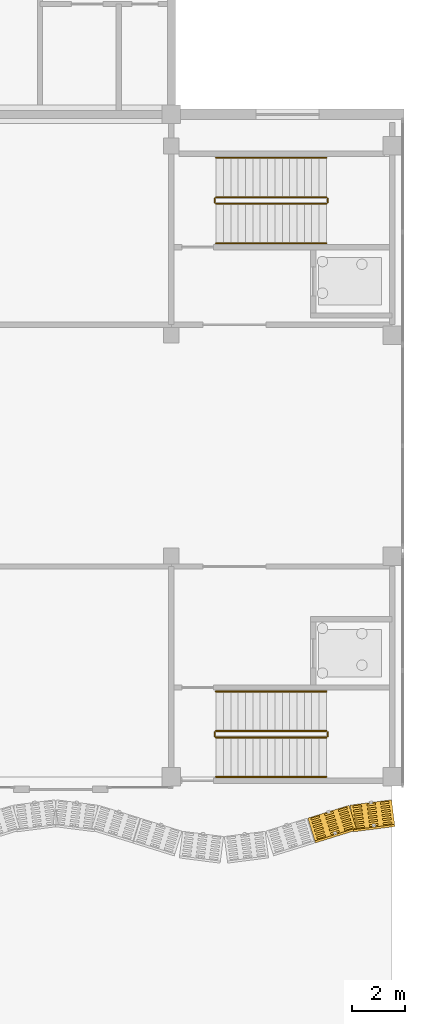
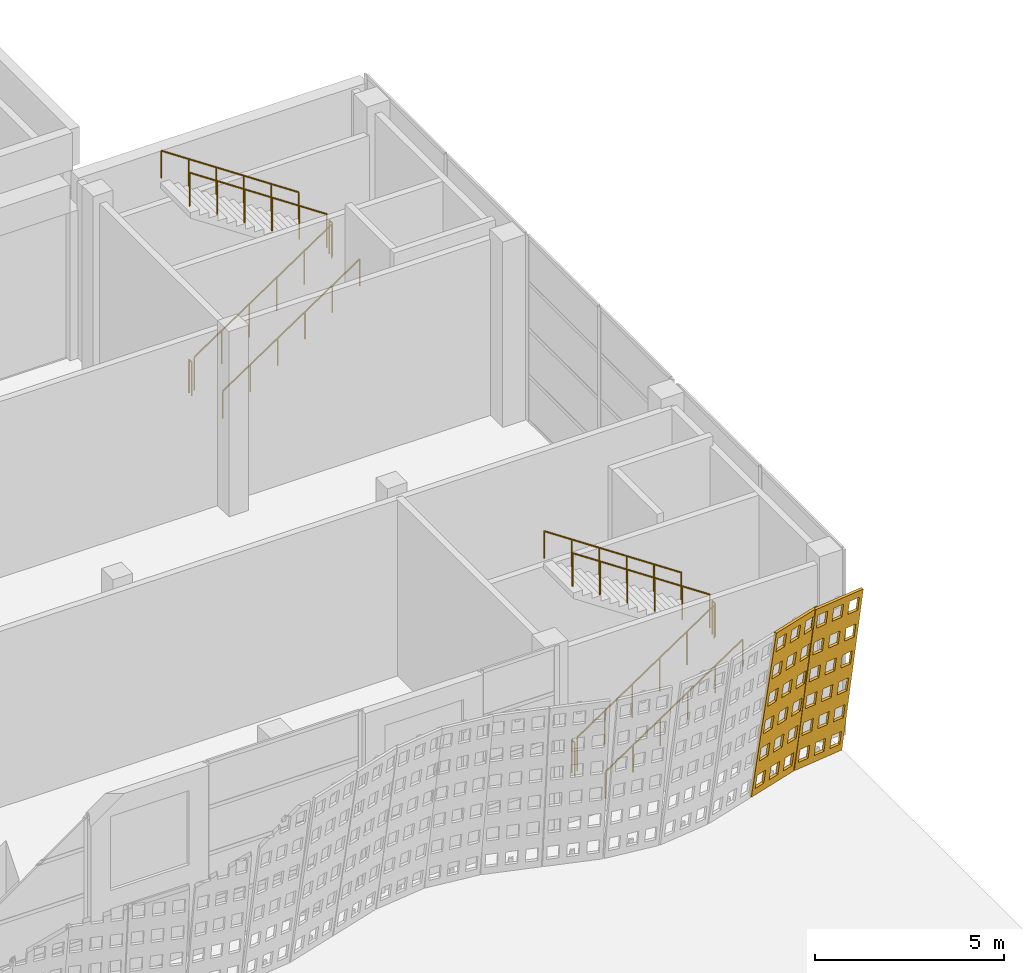
# One storey, part 207 of 210: 12 railings, 2 coverings.
"""IFC4 building model written with IfcOpenShell, lengths in metres."""

from ifc_helpers import new_model, si_unit, direction, frame, origin, origin_2d, place, context, subcontext, project, spatial, polyline, circle, outline, extrude, material, layer, layer_set, type_object, element, save


model = new_model("IFC4")

# Units and contexts
model_context = context("Model", 3, precision=1e-05, world=origin(), true_north=direction((0.0, 1.0)))
body_context = subcontext(model_context, "Body", "Model", "MODEL_VIEW")
ifc_project = project(units=[si_unit("LENGTHUNIT", "METRE"), si_unit("AREAUNIT", "SQUARE_METRE"), si_unit("VOLUMEUNIT", "CUBIC_METRE"), si_unit("PLANEANGLEUNIT", "RADIAN"), si_unit("MASSUNIT", "GRAM", prefix="KILO")], contexts=[model_context])

# Site, building, storey
site_placement = place(None, origin())
site = spatial("IfcSite", under=ifc_project, at=site_placement, CompositionType="ELEMENT")
building_placement = place(site_placement, origin())
building = spatial("IfcBuilding", under=site, at=building_placement, Name="Rain Tree Exposition and Congress Centre", CompositionType="ELEMENT")
storey_placement = place(building_placement, origin())
storey = spatial("IfcBuildingStorey", under=building, at=storey_placement, Name="L00", CompositionType="ELEMENT", Elevation=0.0)

# Railings
ifc_material_1 = material(Name="Aluminium and glass balustrade", Category="aluminium")
railing_type_1 = type_object("IfcRailingType", Name="Concourse guard 1100", PredefinedType="GUARDRAIL", material=ifc_material_1)
railing_1_placement = place(storey_placement, frame((262.10009765625, 77.10009765625, 0.1875)))
element("IfcRailing", 1, at=railing_1_placement, inside=storey, type_object=railing_type_1, Name="L00 ST-C6 stair guard 1", PredefinedType="GUARDRAIL", context=body_context, shape_type="SweptSolid", body=[
    extrude(circle(Radius=0.02392578125, at=origin_2d()), frame((0.0, 0.0, 1.076171875), z_axis=(0.830904186295, 0.0, 0.556415522067), x_axis=(0.0, 1.0, 0.0)), (0.0, 0.0, 1.0), 5.0546875),
    extrude(circle(Radius=0.02099609375, at=origin_2d()), origin(), (0.0, 0.0, 1.0), 1.052001953125),
    extrude(circle(Radius=0.02099609375, at=origin_2d()), frame((0.840087890625, 0.0, 0.5625)), (0.0, 0.0, 1.0), 1.052001953125),
    extrude(circle(Radius=0.02099609375, at=origin_2d()), frame((1.679931640625, 0.0, 1.125)), (0.0, 0.0, 1.0), 1.052001953125),
    extrude(circle(Radius=0.02099609375, at=origin_2d()), frame((2.52001953125, 0.0, 1.6875)), (0.0, 0.0, 1.0), 1.052001953125),
    extrude(circle(Radius=0.02099609375, at=origin_2d()), frame((3.35986328125, 0.0, 2.25)), (0.0, 0.0, 1.0), 1.052001953125),
    extrude(circle(Radius=0.02099609375, at=origin_2d()), frame((4.199951171875, 0.0, 2.8125)), (0.0, 0.0, 1.0), 1.052001953125),
])
railing_2_placement = place(storey_placement, frame((266.35009765625, 77.14990234375, 3.0)))
element("IfcRailing", 2, at=railing_2_placement, inside=storey, type_object=railing_type_1, Name="L00 ST-C6 stair guard 2", PredefinedType="GUARDRAIL", context=body_context, shape_type="SweptSolid", body=[
    extrude(circle(Radius=0.02392578125, at=origin_2d()), frame((0.0, 0.0, 1.076171875), z_axis=(0.0, 1.0, 0.0), x_axis=(-1.0, 0.0, 0.0)), (0.0, 0.0, 1.0), 0.150146484375),
    extrude(circle(Radius=0.02099609375, at=origin_2d()), origin(), (0.0, 0.0, 1.0), 1.052001953125),
    extrude(circle(Radius=0.02099609375, at=origin_2d()), frame((0.0, 0.150146484375, 0.0)), (0.0, 0.0, 1.0), 1.052001953125),
])
railing_3_placement = place(storey_placement, frame((266.300048828125, 77.35009765625, 3.1875)))
element("IfcRailing", 3, at=railing_3_placement, inside=storey, type_object=railing_type_1, Name="L00 ST-C6 stair guard 3", PredefinedType="GUARDRAIL", context=body_context, shape_type="SweptSolid", body=[
    extrude(circle(Radius=0.02392578125, at=origin_2d()), frame((0.0, 0.0, 1.076171875), z_axis=(-0.830904186295, 0.0, 0.556415522067), x_axis=(0.0, -1.0, 0.0)), (0.0, 0.0, 1.0), 5.0546875),
    extrude(circle(Radius=0.02099609375, at=origin_2d()), origin(), (0.0, 0.0, 1.0), 1.052001953125),
    extrude(circle(Radius=0.02099609375, at=origin_2d()), frame((-0.840087890625, 0.0, 0.5625)), (0.0, 0.0, 1.0), 1.052001953125),
    extrude(circle(Radius=0.02099609375, at=origin_2d()), frame((-1.679931640625, 0.0, 1.125)), (0.0, 0.0, 1.0), 1.052001953125),
    extrude(circle(Radius=0.02099609375, at=origin_2d()), frame((-2.52001953125, 0.0, 1.6875)), (0.0, 0.0, 1.0), 1.052001953125),
    extrude(circle(Radius=0.02099609375, at=origin_2d()), frame((-3.35986328125, 0.0, 2.25)), (0.0, 0.0, 1.0), 1.052001953125),
    extrude(circle(Radius=0.02099609375, at=origin_2d()), frame((-4.199951171875, 0.0, 2.8125)), (0.0, 0.0, 1.0), 1.052001953125),
])
railing_4_placement = place(storey_placement, frame((262.050048828125, 77.14990234375, 0.0)))
element("IfcRailing", 4, at=railing_4_placement, inside=storey, type_object=railing_type_1, Name="L00 ST-C6 stair guard 4", PredefinedType="GUARDRAIL", context=body_context, shape_type="SweptSolid", body=[
    extrude(circle(Radius=0.02392578125, at=origin_2d()), frame((0.0, 0.0, 1.076171875), z_axis=(0.0, 1.0, 0.0), x_axis=(-1.0, 0.0, 0.0)), (0.0, 0.0, 1.0), 0.150146484375),
    extrude(circle(Radius=0.02099609375, at=origin_2d()), origin(), (0.0, 0.0, 1.0), 1.052001953125),
    extrude(circle(Radius=0.02099609375, at=origin_2d()), frame((0.0, 0.150146484375, 0.0)), (0.0, 0.0, 1.0), 1.052001953125),
])
railing_5_placement = place(storey_placement, frame((262.10009765625, 97.39990234375, 0.1875)))
element("IfcRailing", 5, at=railing_5_placement, inside=storey, type_object=railing_type_1, Name="L00 ST-C12 stair guard 1", PredefinedType="GUARDRAIL", context=body_context, shape_type="SweptSolid", body=[
    extrude(circle(Radius=0.02392578125, at=origin_2d()), frame((0.0, 0.0, 1.076171875), z_axis=(0.830904186295, 0.0, 0.556415522067), x_axis=(0.0, 1.0, 0.0)), (0.0, 0.0, 1.0), 5.0546875),
    extrude(circle(Radius=0.02099609375, at=origin_2d()), origin(), (0.0, 0.0, 1.0), 1.052001953125),
    extrude(circle(Radius=0.02099609375, at=origin_2d()), frame((0.840087890625, 0.0, 0.5625)), (0.0, 0.0, 1.0), 1.052001953125),
    extrude(circle(Radius=0.02099609375, at=origin_2d()), frame((1.679931640625, 0.0, 1.125)), (0.0, 0.0, 1.0), 1.052001953125),
    extrude(circle(Radius=0.02099609375, at=origin_2d()), frame((2.52001953125, 0.0, 1.6875)), (0.0, 0.0, 1.0), 1.052001953125),
    extrude(circle(Radius=0.02099609375, at=origin_2d()), frame((3.35986328125, 0.0, 2.25)), (0.0, 0.0, 1.0), 1.052001953125),
    extrude(circle(Radius=0.02099609375, at=origin_2d()), frame((4.199951171875, 0.0, 2.8125)), (0.0, 0.0, 1.0), 1.052001953125),
])
railing_6_placement = place(storey_placement, frame((266.35009765625, 97.449951171875, 3.0)))
element("IfcRailing", 6, at=railing_6_placement, inside=storey, type_object=railing_type_1, Name="L00 ST-C12 stair guard 2", PredefinedType="GUARDRAIL", context=body_context, shape_type="SweptSolid", body=[
    extrude(circle(Radius=0.02392578125, at=origin_2d()), frame((0.0, 0.0, 1.076171875), z_axis=(0.0, 1.0, 0.0), x_axis=(-1.0, 0.0, 0.0)), (0.0, 0.0, 1.0), 0.150146484375),
    extrude(circle(Radius=0.02099609375, at=origin_2d()), origin(), (0.0, 0.0, 1.0), 1.052001953125),
    extrude(circle(Radius=0.02099609375, at=origin_2d()), frame((0.0, 0.150146484375, 0.0)), (0.0, 0.0, 1.0), 1.052001953125),
])
railing_7_placement = place(storey_placement, frame((266.300048828125, 97.64990234375, 3.1875)))
element("IfcRailing", 7, at=railing_7_placement, inside=storey, type_object=railing_type_1, Name="L00 ST-C12 stair guard 3", PredefinedType="GUARDRAIL", context=body_context, shape_type="SweptSolid", body=[
    extrude(circle(Radius=0.02392578125, at=origin_2d()), frame((0.0, 0.0, 1.076171875), z_axis=(-0.830904186295, 0.0, 0.556415522067), x_axis=(0.0, -1.0, 0.0)), (0.0, 0.0, 1.0), 5.0546875),
    extrude(circle(Radius=0.02099609375, at=origin_2d()), origin(), (0.0, 0.0, 1.0), 1.052001953125),
    extrude(circle(Radius=0.02099609375, at=origin_2d()), frame((-0.840087890625, 0.0, 0.5625)), (0.0, 0.0, 1.0), 1.052001953125),
    extrude(circle(Radius=0.02099609375, at=origin_2d()), frame((-1.679931640625, 0.0, 1.125)), (0.0, 0.0, 1.0), 1.052001953125),
    extrude(circle(Radius=0.02099609375, at=origin_2d()), frame((-2.52001953125, 0.0, 1.6875)), (0.0, 0.0, 1.0), 1.052001953125),
    extrude(circle(Radius=0.02099609375, at=origin_2d()), frame((-3.35986328125, 0.0, 2.25)), (0.0, 0.0, 1.0), 1.052001953125),
    extrude(circle(Radius=0.02099609375, at=origin_2d()), frame((-4.199951171875, 0.0, 2.8125)), (0.0, 0.0, 1.0), 1.052001953125),
])
railing_8_placement = place(storey_placement, frame((262.050048828125, 97.449951171875, 0.0)))
element("IfcRailing", 8, at=railing_8_placement, inside=storey, type_object=railing_type_1, Name="L00 ST-C12 stair guard 4", PredefinedType="GUARDRAIL", context=body_context, shape_type="SweptSolid", body=[
    extrude(circle(Radius=0.02392578125, at=origin_2d()), frame((0.0, 0.0, 1.076171875), z_axis=(0.0, 1.0, 0.0), x_axis=(-1.0, 0.0, 0.0)), (0.0, 0.0, 1.0), 0.150146484375),
    extrude(circle(Radius=0.02099609375, at=origin_2d()), origin(), (0.0, 0.0, 1.0), 1.052001953125),
    extrude(circle(Radius=0.02099609375, at=origin_2d()), frame((0.0, 0.150146484375, 0.0)), (0.0, 0.0, 1.0), 1.052001953125),
])
ifc_material_2 = material(Name="Aluminium handrail", Category="aluminium")
railing_type_2 = type_object("IfcRailingType", Name="Concourse handrail 900", PredefinedType="HANDRAIL", material=ifc_material_2)
railing_9_placement = place(storey_placement, frame((262.10009765625, 75.60009765625, 0.1875)))
element("IfcRailing", 9, at=railing_9_placement, inside=storey, type_object=railing_type_2, Name="L00 ST-C6 stair handrail 1", PredefinedType="HANDRAIL", context=body_context, shape_type="SweptSolid", body=[
    extrude(circle(Radius=0.02392578125, at=origin_2d()), frame((0.0, 0.0, 0.8759765625), z_axis=(0.830904186295, 0.0, 0.556415522067), x_axis=(0.0, 1.0, 0.0)), (0.0, 0.0, 1.0), 5.0546875),
    extrude(circle(Radius=0.02099609375, at=origin_2d()), origin(), (0.0, 0.0, 1.0), 0.851806640625),
    extrude(circle(Radius=0.02099609375, at=origin_2d()), frame((0.840087890625, 0.0, 0.5625)), (0.0, 0.0, 1.0), 0.851806640625),
    extrude(circle(Radius=0.02099609375, at=origin_2d()), frame((1.679931640625, 0.0, 1.125)), (0.0, 0.0, 1.0), 0.851806640625),
    extrude(circle(Radius=0.02099609375, at=origin_2d()), frame((2.52001953125, 0.0, 1.6875)), (0.0, 0.0, 1.0), 0.851806640625),
    extrude(circle(Radius=0.02099609375, at=origin_2d()), frame((3.35986328125, 0.0, 2.25)), (0.0, 0.0, 1.0), 0.851806640625),
    extrude(circle(Radius=0.02099609375, at=origin_2d()), frame((4.199951171875, 0.0, 2.8125)), (0.0, 0.0, 1.0), 0.851806640625),
])
railing_10_placement = place(storey_placement, frame((266.300048828125, 78.85009765625, 3.1875)))
element("IfcRailing", 10, at=railing_10_placement, inside=storey, type_object=railing_type_2, Name="L00 ST-C6 stair handrail 2", PredefinedType="HANDRAIL", context=body_context, shape_type="SweptSolid", body=[
    extrude(circle(Radius=0.02392578125, at=origin_2d()), frame((0.0, 0.0, 0.8759765625), z_axis=(-0.830904186295, 0.0, 0.556415522067), x_axis=(0.0, -1.0, 0.0)), (0.0, 0.0, 1.0), 5.0546875),
    extrude(circle(Radius=0.02099609375, at=origin_2d()), origin(), (0.0, 0.0, 1.0), 0.851806640625),
    extrude(circle(Radius=0.02099609375, at=origin_2d()), frame((-0.840087890625, 0.0, 0.5625)), (0.0, 0.0, 1.0), 0.851806640625),
    extrude(circle(Radius=0.02099609375, at=origin_2d()), frame((-1.679931640625, 0.0, 1.125)), (0.0, 0.0, 1.0), 0.851806640625),
    extrude(circle(Radius=0.02099609375, at=origin_2d()), frame((-2.52001953125, 0.0, 1.6875)), (0.0, 0.0, 1.0), 0.851806640625),
    extrude(circle(Radius=0.02099609375, at=origin_2d()), frame((-3.35986328125, 0.0, 2.25)), (0.0, 0.0, 1.0), 0.851806640625),
    extrude(circle(Radius=0.02099609375, at=origin_2d()), frame((-4.199951171875, 0.0, 2.8125)), (0.0, 0.0, 1.0), 0.851806640625),
])
railing_11_placement = place(storey_placement, frame((262.10009765625, 95.89990234375, 0.1875)))
element("IfcRailing", 11, at=railing_11_placement, inside=storey, type_object=railing_type_2, Name="L00 ST-C12 stair handrail 1", PredefinedType="HANDRAIL", context=body_context, shape_type="SweptSolid", body=[
    extrude(circle(Radius=0.02392578125, at=origin_2d()), frame((0.0, 0.0, 0.8759765625), z_axis=(0.830904186295, 0.0, 0.556415522067), x_axis=(0.0, 1.0, 0.0)), (0.0, 0.0, 1.0), 5.0546875),
    extrude(circle(Radius=0.02099609375, at=origin_2d()), origin(), (0.0, 0.0, 1.0), 0.851806640625),
    extrude(circle(Radius=0.02099609375, at=origin_2d()), frame((0.840087890625, 0.0, 0.5625)), (0.0, 0.0, 1.0), 0.851806640625),
    extrude(circle(Radius=0.02099609375, at=origin_2d()), frame((1.679931640625, 0.0, 1.125)), (0.0, 0.0, 1.0), 0.851806640625),
    extrude(circle(Radius=0.02099609375, at=origin_2d()), frame((2.52001953125, 0.0, 1.6875)), (0.0, 0.0, 1.0), 0.851806640625),
    extrude(circle(Radius=0.02099609375, at=origin_2d()), frame((3.35986328125, 0.0, 2.25)), (0.0, 0.0, 1.0), 0.851806640625),
    extrude(circle(Radius=0.02099609375, at=origin_2d()), frame((4.199951171875, 0.0, 2.8125)), (0.0, 0.0, 1.0), 0.851806640625),
])
railing_12_placement = place(storey_placement, frame((266.300048828125, 99.14990234375, 3.1875)))
element("IfcRailing", 12, at=railing_12_placement, inside=storey, type_object=railing_type_2, Name="L00 ST-C12 stair handrail 2", PredefinedType="HANDRAIL", context=body_context, shape_type="SweptSolid", body=[
    extrude(circle(Radius=0.02392578125, at=origin_2d()), frame((0.0, 0.0, 0.8759765625), z_axis=(-0.830904186295, 0.0, 0.556415522067), x_axis=(0.0, -1.0, 0.0)), (0.0, 0.0, 1.0), 5.0546875),
    extrude(circle(Radius=0.02099609375, at=origin_2d()), origin(), (0.0, 0.0, 1.0), 0.851806640625),
    extrude(circle(Radius=0.02099609375, at=origin_2d()), frame((-0.840087890625, 0.0, 0.5625)), (0.0, 0.0, 1.0), 0.851806640625),
    extrude(circle(Radius=0.02099609375, at=origin_2d()), frame((-1.679931640625, 0.0, 1.125)), (0.0, 0.0, 1.0), 0.851806640625),
    extrude(circle(Radius=0.02099609375, at=origin_2d()), frame((-2.52001953125, 0.0, 1.6875)), (0.0, 0.0, 1.0), 0.851806640625),
    extrude(circle(Radius=0.02099609375, at=origin_2d()), frame((-3.35986328125, 0.0, 2.25)), (0.0, 0.0, 1.0), 0.851806640625),
    extrude(circle(Radius=0.02099609375, at=origin_2d()), frame((-4.199951171875, 0.0, 2.8125)), (0.0, 0.0, 1.0), 0.851806640625),
])

# Coverings
ifc_material_3 = material(Name="Perforated terracotta", Category="masonry")
ifc_layer = layer(ifc_material_3, 0.080078125)
ifc_layer_set = layer_set([ifc_layer], Name="Perforated terracotta")
covering_type = type_object("IfcCoveringType", Name="Terracotta screen 80", PredefinedType="CLADDING", material=ifc_layer_set)
covering_1_placement = place(storey_placement, frame((265.60009765625, 73.949951171875, 0.0), z_axis=(-0.293072736571, 0.943327870838, 0.155694891303), x_axis=(-0.954973588716, -0.296690823679, 0.0)))
element("IfcCovering", 13, at=covering_1_placement, inside=storey, type_object=covering_type, Name="concourse/screen/L00/167", PredefinedType="CLADDING", context=body_context, shape_type="SweptSolid", body=[
    extrude(outline(polyline([(-0.014892578125, 0.0), (-1.659912109375, 0.0), (-1.659912109375, 5.80859375), (-0.014892578125, 5.80859375), (-0.014892578125, 0.0)]), holes=[polyline([(-0.119140625, 0.249755859375), (-0.119140625, 0.71826171875), (-0.458984375, 0.71826171875), (-0.458984375, 0.249755859375), (-0.119140625, 0.249755859375)]), polyline([(-0.119140625, 1.218017578125), (-0.119140625, 1.686279296875), (-0.458984375, 1.686279296875), (-0.458984375, 1.218017578125), (-0.119140625, 1.218017578125)]), polyline([(-0.119140625, 2.18603515625), (-0.119140625, 2.654541015625), (-0.458984375, 2.654541015625), (-0.458984375, 2.18603515625), (-0.119140625, 2.18603515625)]), polyline([(-0.119140625, 3.154052734375), (-0.119140625, 3.62255859375), (-0.458984375, 3.62255859375), (-0.458984375, 3.154052734375), (-0.119140625, 3.154052734375)]), polyline([(-0.119140625, 4.122314453125), (-0.119140625, 4.5908203125), (-0.458984375, 4.5908203125), (-0.458984375, 4.122314453125), (-0.119140625, 4.122314453125)]), polyline([(-0.119140625, 5.09033203125), (-0.119140625, 5.558837890625), (-0.458984375, 5.558837890625), (-0.458984375, 5.09033203125), (-0.119140625, 5.09033203125)]), polyline([(-0.66748046875, 0.249755859375), (-0.66748046875, 0.71826171875), (-1.00732421875, 0.71826171875), (-1.00732421875, 0.249755859375), (-0.66748046875, 0.249755859375)]), polyline([(-0.66748046875, 1.218017578125), (-0.66748046875, 1.686279296875), (-1.00732421875, 1.686279296875), (-1.00732421875, 1.218017578125), (-0.66748046875, 1.218017578125)]), polyline([(-0.66748046875, 2.18603515625), (-0.66748046875, 2.654541015625), (-1.00732421875, 2.654541015625), (-1.00732421875, 2.18603515625), (-0.66748046875, 2.18603515625)]), polyline([(-0.66748046875, 3.154052734375), (-0.66748046875, 3.62255859375), (-1.00732421875, 3.62255859375), (-1.00732421875, 3.154052734375), (-0.66748046875, 3.154052734375)]), polyline([(-0.66748046875, 4.122314453125), (-0.66748046875, 4.5908203125), (-1.00732421875, 4.5908203125), (-1.00732421875, 4.122314453125), (-0.66748046875, 4.122314453125)]), polyline([(-0.66748046875, 5.09033203125), (-0.66748046875, 5.558837890625), (-1.00732421875, 5.558837890625), (-1.00732421875, 5.09033203125), (-0.66748046875, 5.09033203125)]), polyline([(-1.2158203125, 0.249755859375), (-1.2158203125, 0.71826171875), (-1.5556640625, 0.71826171875), (-1.5556640625, 0.249755859375), (-1.2158203125, 0.249755859375)]), polyline([(-1.2158203125, 1.218017578125), (-1.2158203125, 1.686279296875), (-1.5556640625, 1.686279296875), (-1.5556640625, 1.218017578125), (-1.2158203125, 1.218017578125)]), polyline([(-1.2158203125, 2.18603515625), (-1.2158203125, 2.654541015625), (-1.5556640625, 2.654541015625), (-1.5556640625, 2.18603515625), (-1.2158203125, 2.18603515625)]), polyline([(-1.2158203125, 3.154052734375), (-1.2158203125, 3.62255859375), (-1.5556640625, 3.62255859375), (-1.5556640625, 3.154052734375), (-1.2158203125, 3.154052734375)]), polyline([(-1.2158203125, 4.122314453125), (-1.2158203125, 4.5908203125), (-1.5556640625, 4.5908203125), (-1.5556640625, 4.122314453125), (-1.2158203125, 4.122314453125)]), polyline([(-1.2158203125, 5.09033203125), (-1.2158203125, 5.558837890625), (-1.5556640625, 5.558837890625), (-1.5556640625, 5.09033203125), (-1.2158203125, 5.09033203125)])]), origin(), (0.0, 0.0, 1.0), 0.080078125),
])
covering_2_placement = place(storey_placement, frame((267.199951171875, 74.445068359375, 0.0), z_axis=(-0.125405134464, 0.978771781185, 0.162109076259), x_axis=(-0.991891686382, -0.127086122318, 0.0)))
element("IfcCovering", 14, at=covering_2_placement, inside=storey, type_object=covering_type, Name="concourse/screen/L00/168", PredefinedType="CLADDING", context=body_context, shape_type="SweptSolid", body=[
    extrude(outline(polyline([(-0.014892578125, 0.0), (-1.59814453125, 0.0), (-1.59814453125, 5.813720703125), (-0.014892578125, 5.813720703125), (-0.014892578125, 0.0)]), holes=[polyline([(-0.115234375, 0.25), (-0.115234375, 0.718994140625), (-0.4423828125, 0.718994140625), (-0.4423828125, 0.25), (-0.115234375, 0.25)]), polyline([(-0.115234375, 1.218994140625), (-0.115234375, 1.687744140625), (-0.4423828125, 1.687744140625), (-0.4423828125, 1.218994140625), (-0.115234375, 1.218994140625)]), polyline([(-0.115234375, 2.18798828125), (-0.115234375, 2.65673828125), (-0.4423828125, 2.65673828125), (-0.4423828125, 2.18798828125), (-0.115234375, 2.18798828125)]), polyline([(-0.115234375, 3.156982421875), (-0.115234375, 3.625732421875), (-0.4423828125, 3.625732421875), (-0.4423828125, 3.156982421875), (-0.115234375, 3.156982421875)]), polyline([(-0.115234375, 4.125732421875), (-0.115234375, 4.594482421875), (-0.4423828125, 4.594482421875), (-0.4423828125, 4.125732421875), (-0.115234375, 4.125732421875)]), polyline([(-0.115234375, 5.0947265625), (-0.115234375, 5.563720703125), (-0.4423828125, 5.563720703125), (-0.4423828125, 5.0947265625), (-0.115234375, 5.0947265625)]), polyline([(-0.64306640625, 0.25), (-0.64306640625, 0.718994140625), (-0.97021484375, 0.718994140625), (-0.97021484375, 0.25), (-0.64306640625, 0.25)]), polyline([(-0.64306640625, 1.218994140625), (-0.64306640625, 1.687744140625), (-0.97021484375, 1.687744140625), (-0.97021484375, 1.218994140625), (-0.64306640625, 1.218994140625)]), polyline([(-0.64306640625, 2.18798828125), (-0.64306640625, 2.65673828125), (-0.97021484375, 2.65673828125), (-0.97021484375, 2.18798828125), (-0.64306640625, 2.18798828125)]), polyline([(-0.64306640625, 3.156982421875), (-0.64306640625, 3.625732421875), (-0.97021484375, 3.625732421875), (-0.97021484375, 3.156982421875), (-0.64306640625, 3.156982421875)]), polyline([(-0.64306640625, 4.125732421875), (-0.64306640625, 4.594482421875), (-0.97021484375, 4.594482421875), (-0.97021484375, 4.125732421875), (-0.64306640625, 4.125732421875)]), polyline([(-0.64306640625, 5.0947265625), (-0.64306640625, 5.563720703125), (-0.97021484375, 5.563720703125), (-0.97021484375, 5.0947265625), (-0.64306640625, 5.0947265625)]), polyline([(-1.170654296875, 0.25), (-1.170654296875, 0.718994140625), (-1.497802734375, 0.718994140625), (-1.497802734375, 0.25), (-1.170654296875, 0.25)]), polyline([(-1.170654296875, 1.218994140625), (-1.170654296875, 1.687744140625), (-1.497802734375, 1.687744140625), (-1.497802734375, 1.218994140625), (-1.170654296875, 1.218994140625)]), polyline([(-1.170654296875, 2.18798828125), (-1.170654296875, 2.65673828125), (-1.497802734375, 2.65673828125), (-1.497802734375, 2.18798828125), (-1.170654296875, 2.18798828125)]), polyline([(-1.170654296875, 3.156982421875), (-1.170654296875, 3.625732421875), (-1.497802734375, 3.625732421875), (-1.497802734375, 3.156982421875), (-1.170654296875, 3.156982421875)]), polyline([(-1.170654296875, 4.125732421875), (-1.170654296875, 4.594482421875), (-1.497802734375, 4.594482421875), (-1.497802734375, 4.125732421875), (-1.170654296875, 4.125732421875)]), polyline([(-1.170654296875, 5.0947265625), (-1.170654296875, 5.563720703125), (-1.497802734375, 5.563720703125), (-1.497802734375, 5.0947265625), (-1.170654296875, 5.0947265625)])]), origin(), (0.0, 0.0, 1.0), 0.079833984375),
])

save(model, "model.ifc")
